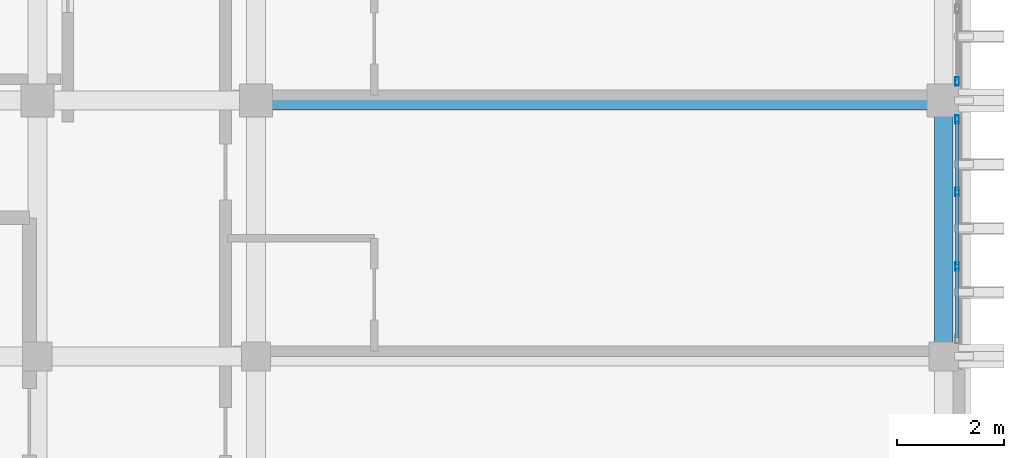
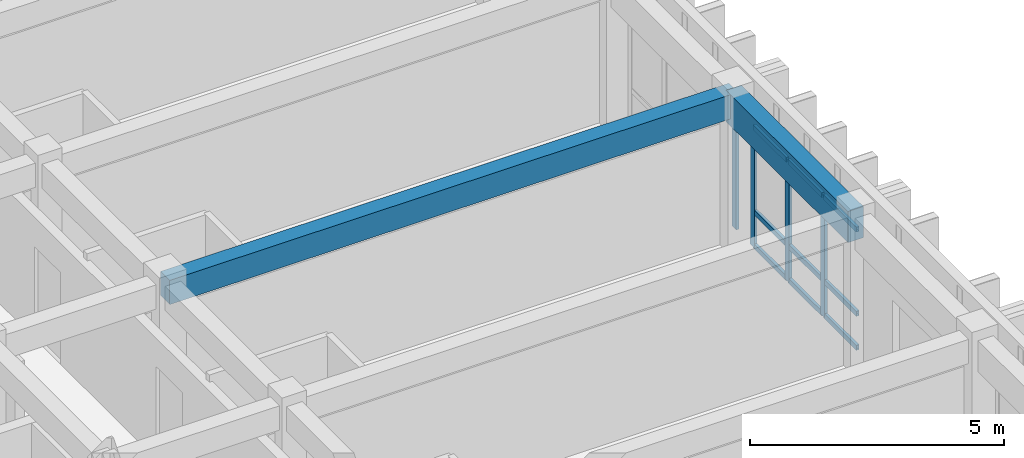
# One storey, part 24 of 50: 13 members, 2 beams, 2 elements without a shape of their own.
"""IFC4 building model written with IfcOpenShell, lengths in metres."""

from ifc_helpers import new_model, si_unit, direction, frame, origin, origin_2d, place, context, subcontext, project, spatial, rectangle, hollow_rectangle, extrude, material, layer, layer_set, material_profile, profile_set, type_object, element, aggregate, save


model = new_model("IFC4")

# Units and contexts
model_context = context("Model", 3, precision=1e-05, world=origin(), true_north=direction((0.0, 1.0)))
body_context = subcontext(model_context, "Body", "Model", "MODEL_VIEW")
ifc_project = project(units=[si_unit("LENGTHUNIT", "METRE"), si_unit("AREAUNIT", "SQUARE_METRE"), si_unit("VOLUMEUNIT", "CUBIC_METRE"), si_unit("PLANEANGLEUNIT", "RADIAN"), si_unit("MASSUNIT", "GRAM", prefix="KILO")], contexts=[model_context])

# Site, building, storey
site_placement = place(None, origin())
site = spatial("IfcSite", under=ifc_project, at=site_placement, CompositionType="ELEMENT")
building_placement = place(site_placement, origin())
building = spatial("IfcBuilding", under=site, at=building_placement, Name="Nakhvara Creek Congress Hotel", CompositionType="ELEMENT")
storey_placement = place(building_placement, frame((0.0, 0.0, 42.60009765625)))
storey = spatial("IfcBuildingStorey", under=building, at=storey_placement, Name="L10", CompositionType="ELEMENT", Elevation=42.60009765625)

# Beams
ifc_material_1 = material(Name="Concrete C40/50", Category="concrete")
ifc_material_profile_1 = material_profile(ifc_material_1, rectangle(XDim=0.360107421875, YDim=0.580078125, at=origin_2d()), Name="RC-BM 360x580", Category="LoadBearing")
ifc_profile_set_1 = profile_set([ifc_material_profile_1], Name="Concrete C40/50")
beam_type_1 = type_object("IfcBeamType", Name="BM-RC-360X580", PredefinedType="BEAM", material=ifc_profile_set_1)
beam_1_placement = place(storey_placement, frame((166.449951171875, 96.0, 3.369873046875), z_axis=(1.0, 0.0, 0.0), x_axis=(0.0, 1.0, 0.0)))
element("IfcBeam", 1, at=beam_1_placement, inside=storey, type_object=beam_type_1, Name="Beam B09-L10-2677", PredefinedType="BEAM", context=body_context, shape_type="SweptSolid", body=[
    extrude(rectangle(XDim=0.360107421875, YDim=0.580078125, at=origin_2d()), origin(), (0.0, 0.0, 1.0), 12.900146484375),
])
ifc_material_profile_2 = material_profile(ifc_material_1, rectangle(XDim=0.35009765625, YDim=0.75, at=origin_2d()), Name="RC-SPANDREL 350x750", Category="LoadBearing")
ifc_profile_set_2 = profile_set([ifc_material_profile_2], Name="Concrete C40/50")
beam_type_2 = type_object("IfcBeamType", Name="BM-SPN-350X750", PredefinedType="SPANDREL", material=ifc_profile_set_2)
beam_2_placement = place(storey_placement, frame((179.35009765625, 91.199951171875, 3.284912109375), z_axis=(0.0, 1.0, 0.0), x_axis=(-1.0, 0.0, 0.0)))
element("IfcBeam", 2, at=beam_2_placement, inside=storey, type_object=beam_type_2, Name="Beam SP1-L10-2694", PredefinedType="SPANDREL", context=body_context, shape_type="SweptSolid", body=[
    extrude(rectangle(XDim=0.35009765625, YDim=0.75, at=origin_2d()), origin(), (0.0, 0.0, 1.0), 4.800048828125),
])

# Curtain wall, members
ifc_material_2 = material(Name="Bronze-anodised aluminium AW-6063-T6 and double-silver low-E glass", Category="aluminium")
ifc_layer = layer(ifc_material_2, 0.199951171875)
ifc_layer_set = layer_set([ifc_layer], Name="Bronze-anodised aluminium AW-6063-T6 and double-silver low-E glass")
curtain_wall_type = type_object("IfcCurtainWallType", Name="CW-HTL-UNIT", PredefinedType="USERDEFINED", material=ifc_layer_set)
curtain_wall_1_placement = place(storey_placement, origin())
curtain_wall_1 = element("IfcCurtainWall", 3, at=curtain_wall_1_placement, inside=storey, type_object=curtain_wall_type, Name="Curtain Wall CW322", ObjectType="UNITISED", PredefinedType="USERDEFINED")
ifc_material_3 = material(Name="Bronze-anodised aluminium AW-6063-T6", Category="aluminium")
ifc_material_profile_3 = material_profile(ifc_material_3, hollow_rectangle(XDim=0.06494140625, YDim=0.159912109375, WallThickness=0.00390625, at=origin_2d()), Name="ALU-MULL 65x160x4", Category="LoadBearing")
ifc_profile_set_3 = profile_set([ifc_material_profile_3], Name="Bronze-anodised aluminium AW-6063-T6")
member_type_1 = type_object("IfcMemberType", Name="CW-MULL-160", PredefinedType="MULLION", material=ifc_profile_set_3)
member_1_placement = place(storey_placement, frame((179.60009765625, 95.642578125, 0.0), z_axis=(0.0, 0.0, 1.0), x_axis=(1.0, 0.0, 0.0)))
member_1 = element("IfcMember", 4, at=member_1_placement, type_object=member_type_1, Name="CW322 mullion 1", PredefinedType="MULLION", context=body_context, shape_type="SweptSolid", body=[
    extrude(hollow_rectangle(XDim=0.06494140625, YDim=0.159912109375, WallThickness=0.00390625, at=origin_2d()), origin(), (0.0, 0.0, 1.0), 2.90185546875),
])
member_2_placement = place(storey_placement, frame((179.60009765625, 94.280029296875, 0.0), z_axis=(0.0, 0.0, 1.0), x_axis=(1.0, 0.0, 0.0)))
member_2 = element("IfcMember", 5, at=member_2_placement, type_object=member_type_1, Name="CW322 mullion 2", PredefinedType="MULLION", context=body_context, shape_type="SweptSolid", body=[
    extrude(hollow_rectangle(XDim=0.06494140625, YDim=0.159912109375, WallThickness=0.00390625, at=origin_2d()), origin(), (0.0, 0.0, 1.0), 2.90185546875),
])
member_3_placement = place(storey_placement, frame((179.60009765625, 92.885009765625, 0.0), z_axis=(0.0, 0.0, 1.0), x_axis=(1.0, 0.0, 0.0)))
member_3 = element("IfcMember", 6, at=member_3_placement, type_object=member_type_1, Name="CW322 mullion 3", PredefinedType="MULLION", context=body_context, shape_type="SweptSolid", body=[
    extrude(hollow_rectangle(XDim=0.06494140625, YDim=0.159912109375, WallThickness=0.00390625, at=origin_2d()), origin(), (0.0, 0.0, 1.0), 2.90185546875),
])

# Curtain wall, member
curtain_wall_2_placement = place(storey_placement, origin())
curtain_wall_2 = element("IfcCurtainWall", 7, at=curtain_wall_2_placement, inside=storey, type_object=curtain_wall_type, Name="Curtain Wall CW324", ObjectType="UNITISED", PredefinedType="USERDEFINED")
member_4_placement = place(storey_placement, frame((179.60009765625, 96.357421875, 0.0), z_axis=(0.0, 0.0, 1.0), x_axis=(1.0, 0.0, 0.0)))
member_4 = element("IfcMember", 8, at=member_4_placement, type_object=member_type_1, Name="CW324 mullion 4", PredefinedType="MULLION", context=body_context, shape_type="SweptSolid", body=[
    extrude(hollow_rectangle(XDim=0.06494140625, YDim=0.159912109375, WallThickness=0.00390625, at=origin_2d()), origin(), (0.0, 0.0, 1.0), 2.90185546875),
])
aggregate(curtain_wall_2, [member_4])

# Member
ifc_material_profile_4 = material_profile(ifc_material_3, hollow_rectangle(XDim=0.06494140625, YDim=0.1201171875, WallThickness=0.00390625, at=origin_2d()), Name="ALU-TRAN 65x120x4", Category="LoadBearing")
ifc_profile_set_4 = profile_set([ifc_material_profile_4], Name="Bronze-anodised aluminium AW-6063-T6")
member_type_2 = type_object("IfcMemberType", Name="CW-TRAN-120", PredefinedType="USERDEFINED", material=ifc_profile_set_4)
member_5_placement = place(storey_placement, frame((179.60009765625, 95.610107421875, 0.032470703125), z_axis=(0.0, -1.0, 0.0), x_axis=(1.0, 0.0, 0.0)))
member_5 = element("IfcMember", 9, at=member_5_placement, type_object=member_type_2, Name="CW322 transom 1.1", ObjectType="TRANSOM", PredefinedType="USERDEFINED", context=body_context, shape_type="SweptSolid", body=[
    extrude(hollow_rectangle(XDim=0.06494140625, YDim=0.1201171875, WallThickness=0.00390625, at=origin_2d()), origin(), (0.0, 0.0, 1.0), 1.297607421875),
])

member_6_placement = place(storey_placement, frame((179.60009765625, 95.610107421875, 0.849853515625), z_axis=(0.0, -1.0, 0.0), x_axis=(1.0, 0.0, 0.0)))
member_6 = element("IfcMember", 10, at=member_6_placement, type_object=member_type_2, Name="CW322 transom 1.2", ObjectType="TRANSOM", PredefinedType="USERDEFINED", context=body_context, shape_type="SweptSolid", body=[
    extrude(hollow_rectangle(XDim=0.06494140625, YDim=0.1201171875, WallThickness=0.00390625, at=origin_2d()), origin(), (0.0, 0.0, 1.0), 1.297607421875),
])

member_7_placement = place(storey_placement, frame((179.60009765625, 95.610107421875, 2.869384765625), z_axis=(0.0, -1.0, 0.0), x_axis=(1.0, 0.0, 0.0)))
member_7 = element("IfcMember", 11, at=member_7_placement, type_object=member_type_2, Name="CW322 transom 1.3", ObjectType="TRANSOM", PredefinedType="USERDEFINED", context=body_context, shape_type="SweptSolid", body=[
    extrude(hollow_rectangle(XDim=0.06494140625, YDim=0.1201171875, WallThickness=0.00390625, at=origin_2d()), origin(), (0.0, 0.0, 1.0), 1.297607421875),
])

member_8_placement = place(storey_placement, frame((179.60009765625, 94.24755859375, 0.032470703125), z_axis=(0.0, -1.0, 0.0), x_axis=(1.0, 0.0, 0.0)))
member_8 = element("IfcMember", 12, at=member_8_placement, type_object=member_type_2, Name="CW322 transom 2.1", ObjectType="TRANSOM", PredefinedType="USERDEFINED", context=body_context, shape_type="SweptSolid", body=[
    extrude(hollow_rectangle(XDim=0.06494140625, YDim=0.1201171875, WallThickness=0.00390625, at=origin_2d()), origin(), (0.0, 0.0, 1.0), 1.330078125),
])

member_9_placement = place(storey_placement, frame((179.60009765625, 94.24755859375, 0.849853515625), z_axis=(0.0, -1.0, 0.0), x_axis=(1.0, 0.0, 0.0)))
member_9 = element("IfcMember", 13, at=member_9_placement, type_object=member_type_2, Name="CW322 transom 2.2", ObjectType="TRANSOM", PredefinedType="USERDEFINED", context=body_context, shape_type="SweptSolid", body=[
    extrude(hollow_rectangle(XDim=0.06494140625, YDim=0.1201171875, WallThickness=0.00390625, at=origin_2d()), origin(), (0.0, 0.0, 1.0), 1.330078125),
])

member_10_placement = place(storey_placement, frame((179.60009765625, 94.24755859375, 2.869384765625), z_axis=(0.0, -1.0, 0.0), x_axis=(1.0, 0.0, 0.0)))
member_10 = element("IfcMember", 14, at=member_10_placement, type_object=member_type_2, Name="CW322 transom 2.3", ObjectType="TRANSOM", PredefinedType="USERDEFINED", context=body_context, shape_type="SweptSolid", body=[
    extrude(hollow_rectangle(XDim=0.06494140625, YDim=0.1201171875, WallThickness=0.00390625, at=origin_2d()), origin(), (0.0, 0.0, 1.0), 1.330078125),
])

member_11_placement = place(storey_placement, frame((179.60009765625, 92.8525390625, 0.032470703125), z_axis=(0.0, -1.0, 0.0), x_axis=(1.0, 0.0, 0.0)))
member_11 = element("IfcMember", 15, at=member_11_placement, type_object=member_type_2, Name="CW322 transom 3.1", ObjectType="TRANSOM", PredefinedType="USERDEFINED", context=body_context, shape_type="SweptSolid", body=[
    extrude(hollow_rectangle(XDim=0.06494140625, YDim=0.1201171875, WallThickness=0.00390625, at=origin_2d()), origin(), (0.0, 0.0, 1.0), 1.297607421875),
])

member_12_placement = place(storey_placement, frame((179.60009765625, 92.8525390625, 0.849853515625), z_axis=(0.0, -1.0, 0.0), x_axis=(1.0, 0.0, 0.0)))
member_12 = element("IfcMember", 16, at=member_12_placement, type_object=member_type_2, Name="CW322 transom 3.2", ObjectType="TRANSOM", PredefinedType="USERDEFINED", context=body_context, shape_type="SweptSolid", body=[
    extrude(hollow_rectangle(XDim=0.06494140625, YDim=0.1201171875, WallThickness=0.00390625, at=origin_2d()), origin(), (0.0, 0.0, 1.0), 1.297607421875),
])

member_13_placement = place(storey_placement, frame((179.60009765625, 92.8525390625, 2.869384765625), z_axis=(0.0, -1.0, 0.0), x_axis=(1.0, 0.0, 0.0)))
member_13 = element("IfcMember", 17, at=member_13_placement, type_object=member_type_2, Name="CW322 transom 3.3", ObjectType="TRANSOM", PredefinedType="USERDEFINED", context=body_context, shape_type="SweptSolid", body=[
    extrude(hollow_rectangle(XDim=0.06494140625, YDim=0.1201171875, WallThickness=0.00390625, at=origin_2d()), origin(), (0.0, 0.0, 1.0), 1.297607421875),
])

aggregate(curtain_wall_1, [member_1, member_2, member_3, member_5, member_6, member_7, member_8, member_9, member_10, member_11, member_12, member_13])

save(model, "model.ifc")
